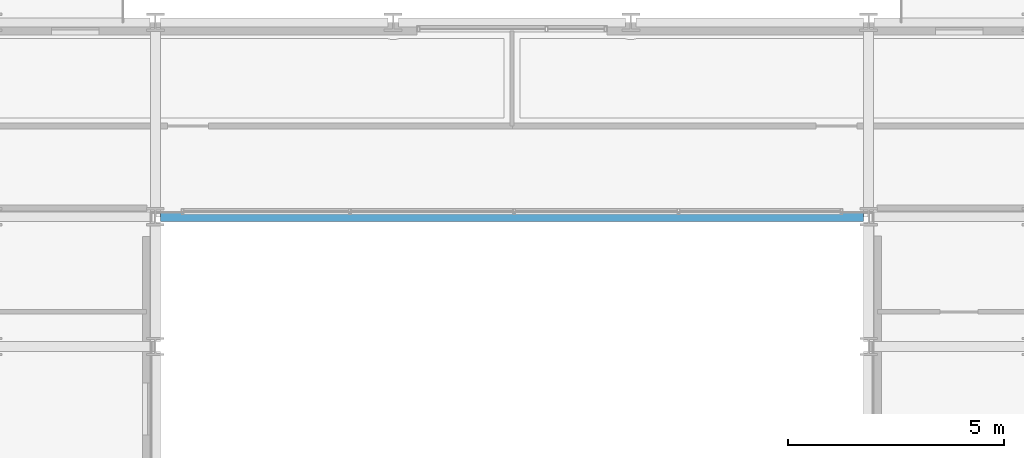
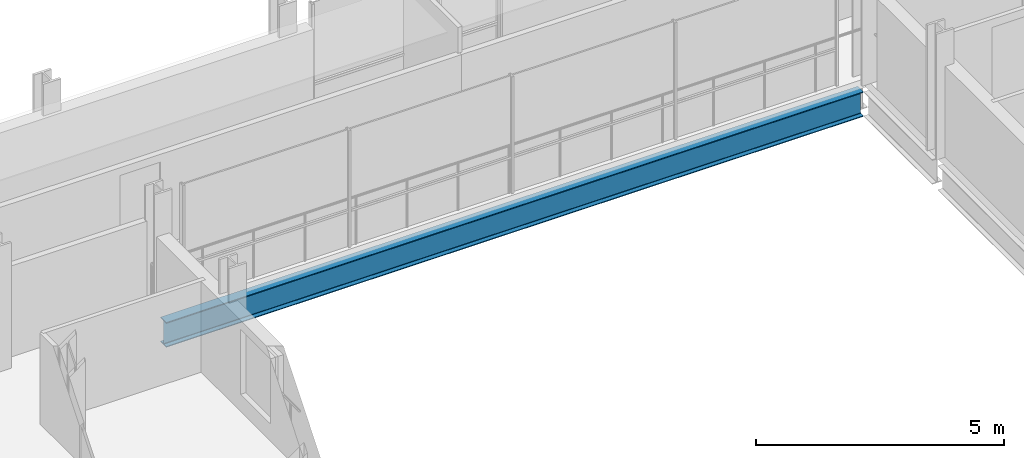
# One storey, part 10 of 39: 1 beam.
"""IFC4 building model written with IfcOpenShell, lengths in metres."""

from ifc_helpers import new_model, si_unit, direction, frame, origin, origin_2d, place, context, subcontext, project, spatial, i_section, extrude, material, material_profile, profile_set, type_object, element, save


model = new_model("IFC4")

# Units and contexts
model_context = context("Model", 3, precision=1e-05, world=origin(), true_north=direction((0.0, 1.0)))
body_context = subcontext(model_context, "Body", "Model", "MODEL_VIEW")
ifc_project = project(units=[si_unit("LENGTHUNIT", "METRE"), si_unit("AREAUNIT", "SQUARE_METRE"), si_unit("VOLUMEUNIT", "CUBIC_METRE"), si_unit("PLANEANGLEUNIT", "RADIAN"), si_unit("MASSUNIT", "GRAM", prefix="KILO")], contexts=[model_context])

# Site, building, storey
site_placement = place(None, origin())
site = spatial("IfcSite", under=ifc_project, at=site_placement, CompositionType="ELEMENT")
building_placement = place(site_placement, origin())
building = spatial("IfcBuilding", under=site, at=building_placement, Name="Brevholm Reach", CompositionType="ELEMENT")
storey_placement = place(building_placement, frame((0.0, 0.0, 103.5)))
storey = spatial("IfcBuildingStorey", under=building, at=storey_placement, Name="L30", CompositionType="ELEMENT", Elevation=103.5)

# Beam
ifc_material = material(Name="Structural Steel S355J2", Category="steel")
ifc_material_profile = material_profile(ifc_material, i_section(OverallWidth=0.22900390625, OverallDepth=0.6123046875, WebThickness=0.011962890625, FlangeThickness=0.01953125, FilletRadius=0.0126953125, at=origin_2d()), Name="UKB 610x229x125")
ifc_profile_set = profile_set([ifc_material_profile], Name="Structural Steel S355J2")
beam_type = type_object("IfcBeamType", Name="BM-SP610", PredefinedType="SPANDREL", material=ifc_profile_set)
beam_placement = place(storey_placement, frame((21.8701171875, 26.5, -0.526123046875), z_axis=(1.0, 0.0, 0.0), x_axis=(0.0, 1.0, 0.0)))
element("IfcBeam", 1, at=beam_placement, inside=storey, type_object=beam_type, Name="L30 SP-01 Framing Beam", PredefinedType="SPANDREL", context=body_context, shape_type="SweptSolid", body=[
    extrude(i_section(OverallWidth=0.22900390625, OverallDepth=0.6123046875, WebThickness=0.011962890625, FlangeThickness=0.01953125, FilletRadius=0.0126953125, at=origin_2d()), origin(), (0.0, 0.0, 1.0), 16.259765625),
])

save(model, "model.ifc")
